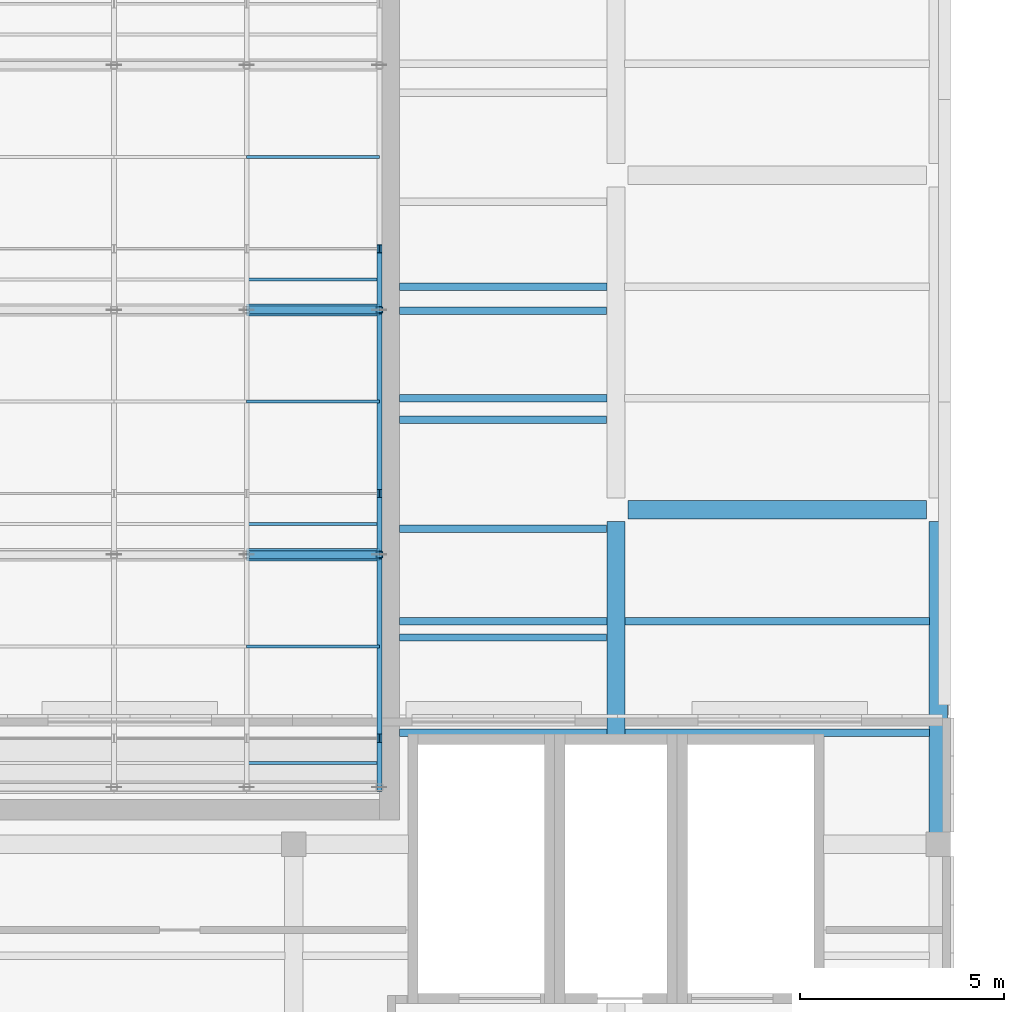
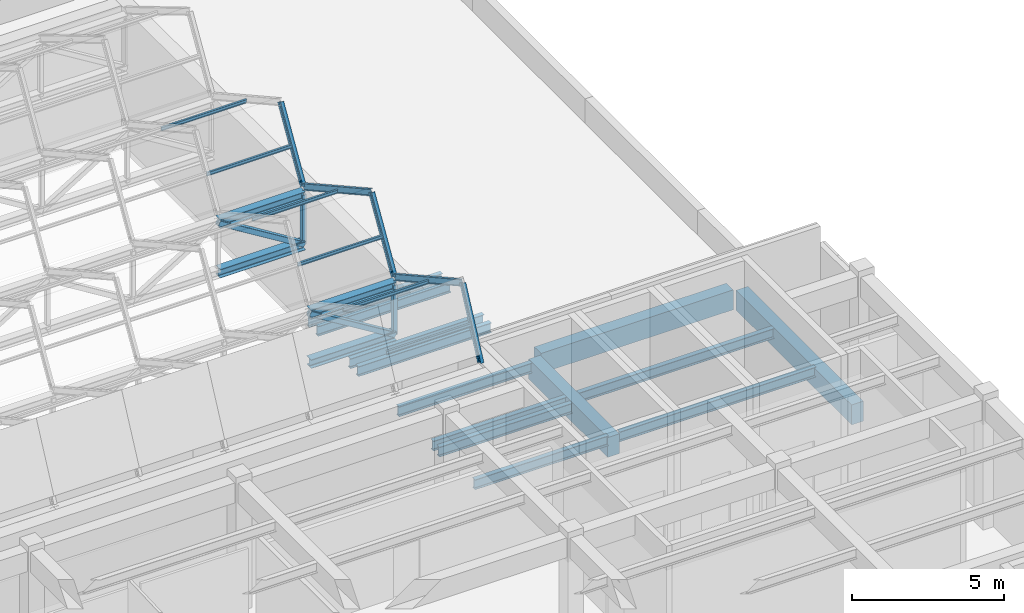
# One storey, part 55 of 132: 19 members, 13 beams.
"""IFC4 building model written with IfcOpenShell, lengths in metres."""

from ifc_helpers import new_model, si_unit, direction, frame, origin, origin_2d, place, context, subcontext, project, spatial, rectangle, hollow_rectangle, i_section, extrude, material, material_profile, profile_set, type_object, element, save


model = new_model("IFC4")

# Units and contexts
model_context = context("Model", 3, precision=1e-05, world=origin(), true_north=direction((0.0, 1.0)))
body_context = subcontext(model_context, "Body", "Model", "MODEL_VIEW")
ifc_project = project(units=[si_unit("LENGTHUNIT", "METRE"), si_unit("AREAUNIT", "SQUARE_METRE"), si_unit("VOLUMEUNIT", "CUBIC_METRE"), si_unit("PLANEANGLEUNIT", "RADIAN"), si_unit("MASSUNIT", "GRAM", prefix="KILO")], contexts=[model_context])

# Site, building, storey
site_placement = place(None, origin())
site = spatial("IfcSite", under=ifc_project, at=site_placement, CompositionType="ELEMENT")
building_placement = place(site_placement, origin())
building = spatial("IfcBuilding", under=site, at=building_placement, Name="Lunette Opera House", CompositionType="ELEMENT")
storey_placement = place(building_placement, frame((0.0, 0.0, 17.0)))
storey = spatial("IfcBuildingStorey", under=building, at=storey_placement, Name="L03", CompositionType="ELEMENT", Elevation=17.0)

# Members
ifc_material_1 = material(Name="Steel S355", Category="steel")
ifc_material_profile_1 = material_profile(ifc_material_1, i_section(OverallWidth=0.300048828125, OverallDepth=0.35009765625, WebThickness=0.010009765625, FlangeThickness=0.017578125, FilletRadius=0.027099609375, at=origin_2d()), Name="HEA 360")
ifc_profile_set_1 = profile_set([ifc_material_profile_1], Name="Steel S355")
member_type_1 = type_object("IfcMemberType", Name="CHORD HEA 360", PredefinedType="CHORD", material=ifc_profile_set_1)
for number, where, z_axis, x_axis, name in (
    (1, (166.75, 110.0, 5.205078125), (1.0, 0.0, 0.0), (0.0, 1.0, 0.0), "mem-WW-L03-WW-TR02-TC8"),
    (2, (166.75, 110.0, 3.205078125), (1.0, 0.0, 0.0), (0.0, 1.0, 0.0), "mem-WW-L03-WW-TR02-BC8"),
    (3, (166.75, 116.0, 5.205078125), (1.0, 0.0, 0.0), (0.0, 1.0, 0.0), "mem-WW-L03-WW-TR03-TC8"),
    (4, (166.75, 116.0, 3.205078125), (1.0, 0.0, 0.0), (0.0, 1.0, 0.0), "mem-WW-L03-WW-TR03-BC8"),
):
    element("IfcMember", number, at=place(storey_placement, frame(where, z_axis=z_axis, x_axis=x_axis)), inside=storey, type_object=member_type_1, Name=name, PredefinedType="CHORD", context=body_context, shape_type="SweptSolid", body=[
        extrude(i_section(OverallWidth=0.300048828125, OverallDepth=0.35009765625, WebThickness=0.010009765625, FlangeThickness=0.017578125, FilletRadius=0.027099609375, at=origin_2d()), origin(), (0.0, 0.0, 1.0), 3.25),
    ])
ifc_material_2 = material(Name="Steel S355", Category="steel")
ifc_material_profile_2 = material_profile(ifc_material_2, hollow_rectangle(XDim=0.199951171875, YDim=0.199951171875, WallThickness=0.008056640625, InnerFilletRadius=0.008056640625, OuterFilletRadius=0.01611328125, at=origin_2d()), Name="RHS 200X200X8")
ifc_profile_set_2 = profile_set([ifc_material_profile_2], Name="Steel S355")
member_type_2 = type_object("IfcMemberType", Name="DIAGONAL RHS 200X200X8", PredefinedType="BRACE", material=ifc_profile_set_2)
for number, where, z_axis, x_axis, name in (
    (5, (166.75, 110.0, 5.205078125), (0.851658316705, 0.0, -0.524097425664), (0.0, 1.0, 0.0), "mem-WW-L03-WW-TR02-TD8"),
    (6, (166.75, 116.0, 5.205078125), (0.851658316705, 0.0, -0.524097425664), (0.0, 1.0, 0.0), "mem-WW-L03-WW-TR03-TD8"),
):
    element("IfcMember", number, at=place(storey_placement, frame(where, z_axis=z_axis, x_axis=x_axis)), inside=storey, type_object=member_type_2, Name=name, PredefinedType="BRACE", context=body_context, shape_type="SweptSolid", body=[
        extrude(hollow_rectangle(XDim=0.199951171875, YDim=0.199951171875, WallThickness=0.008056640625, InnerFilletRadius=0.008056640625, OuterFilletRadius=0.01611328125, at=origin_2d()), origin(), (0.0, 0.0, 1.0), 3.816162109375),
    ])
ifc_material_3 = material(Name="Steel S355", Category="steel")
ifc_material_profile_3 = material_profile(ifc_material_3, i_section(OverallWidth=0.072998046875, OverallDepth=0.139892578125, WebThickness=0.004638671875, FlangeThickness=0.0068359375, FilletRadius=0.007080078125, at=origin_2d()), Name="IPE 140")
ifc_profile_set_3 = profile_set([ifc_material_profile_3], Name="Steel S355")
member_type_3 = type_object("IfcMemberType", Name="PURLIN IPE 140", PredefinedType="PURLIN", material=ifc_profile_set_3)
for number, where, z_axis, x_axis, name in (
    (7, (166.75, 104.89990234375, 6.679931640625), (1.0, 0.0, 0.0), (0.0, 1.0, 0.0), "mem-WW-L03-WW-PN1-8A"),
    (8, (166.75, 107.75, 6.679931640625), (1.0, 0.0, 0.0), (0.0, 1.0, 0.0), "mem-WW-L03-WW-PN1-8B"),
    (9, (166.75, 110.75, 6.679931640625), (1.0, 0.0, 0.0), (0.0, 1.0, 0.0), "mem-WW-L03-WW-PN2-8A"),
    (10, (166.75, 113.75, 6.679931640625), (1.0, 0.0, 0.0), (0.0, 1.0, 0.0), "mem-WW-L03-WW-PN2-8B"),
    (11, (166.75, 116.75, 6.679931640625), (1.0, 0.0, 0.0), (0.0, 1.0, 0.0), "mem-WW-L03-WW-PN3-8A"),
    (12, (166.75, 119.75, 6.679931640625), (1.0, 0.0, 0.0), (0.0, 1.0, 0.0), "mem-WW-L03-WW-PN3-8B"),
):
    element("IfcMember", number, at=place(storey_placement, frame(where, z_axis=z_axis, x_axis=x_axis)), inside=storey, type_object=member_type_3, Name=name, PredefinedType="PURLIN", context=body_context, shape_type="SweptSolid", body=[
        extrude(i_section(OverallWidth=0.072998046875, OverallDepth=0.139892578125, WebThickness=0.004638671875, FlangeThickness=0.0068359375, FilletRadius=0.007080078125, at=origin_2d()), origin(), (0.0, 0.0, 1.0), 3.25),
    ])
ifc_material_4 = material(Name="Steel S355", Category="steel")
ifc_material_profile_4 = material_profile(ifc_material_4, i_section(OverallWidth=0.1201171875, OverallDepth=0.239990234375, WebThickness=0.006103515625, FlangeThickness=0.009765625, FilletRadius=0.014892578125, at=origin_2d()), Name="IPE 240")
ifc_profile_set_4 = profile_set([ifc_material_profile_4], Name="Steel S355")
member_type_4 = type_object("IfcMemberType", Name="RAFTER IPE 240", PredefinedType="RAFTER", material=ifc_profile_set_4)
member_1_placement = place(storey_placement, frame((170.0, 104.300048828125, 5.5), z_axis=(0.0, 0.432716756732, 0.901529926538), x_axis=(-1.0, 0.0, 0.0)))
element("IfcMember", 13, at=member_1_placement, inside=storey, type_object=member_type_4, Name="mem-WW-L03-WW-RF1-9A", PredefinedType="RAFTER", context=body_context, shape_type="SweptSolid", body=[
    extrude(i_section(OverallWidth=0.1201171875, OverallDepth=0.239990234375, WebThickness=0.006103515625, FlangeThickness=0.009765625, FilletRadius=0.014892578125, at=origin_2d()), origin(), (0.0, 0.0, 1.0), 2.77294921875),
])
member_2_placement = place(storey_placement, frame((170.0, 105.5, 8.0), z_axis=(0.0, 0.874157276122, -0.485642931179), x_axis=(-1.0, 0.0, 0.0)))
element("IfcMember", 14, at=member_2_placement, inside=storey, type_object=member_type_4, Name="mem-WW-L03-WW-RF1-9B", PredefinedType="RAFTER", context=body_context, shape_type="SweptSolid", body=[
    extrude(i_section(OverallWidth=0.1201171875, OverallDepth=0.239990234375, WebThickness=0.006103515625, FlangeThickness=0.009765625, FilletRadius=0.014892578125, at=origin_2d()), origin(), (0.0, 0.0, 1.0), 5.147705078125),
])
member_3_placement = place(storey_placement, frame((170.0, 110.0, 5.5), z_axis=(0.0, 0.514495755428, 0.857492925713), x_axis=(-1.0, 0.0, 0.0)))
element("IfcMember", 15, at=member_3_placement, inside=storey, type_object=member_type_4, Name="mem-WW-L03-WW-RF2-9A", PredefinedType="RAFTER", context=body_context, shape_type="SweptSolid", body=[
    extrude(i_section(OverallWidth=0.1201171875, OverallDepth=0.239990234375, WebThickness=0.006103515625, FlangeThickness=0.009765625, FilletRadius=0.014892578125, at=origin_2d()), origin(), (0.0, 0.0, 1.0), 2.91552734375),
])
member_4_placement = place(storey_placement, frame((170.0, 111.5, 8.0), z_axis=(0.0, 0.874157276122, -0.485642931179), x_axis=(-1.0, 0.0, 0.0)))
element("IfcMember", 16, at=member_4_placement, inside=storey, type_object=member_type_4, Name="mem-WW-L03-WW-RF2-9B", PredefinedType="RAFTER", context=body_context, shape_type="SweptSolid", body=[
    extrude(i_section(OverallWidth=0.1201171875, OverallDepth=0.239990234375, WebThickness=0.006103515625, FlangeThickness=0.009765625, FilletRadius=0.014892578125, at=origin_2d()), origin(), (0.0, 0.0, 1.0), 5.147705078125),
])
member_5_placement = place(storey_placement, frame((170.0, 116.0, 5.5), z_axis=(0.0, 0.514495755428, 0.857492925713), x_axis=(-1.0, 0.0, 0.0)))
element("IfcMember", 17, at=member_5_placement, inside=storey, type_object=member_type_4, Name="mem-WW-L03-WW-RF3-9A", PredefinedType="RAFTER", context=body_context, shape_type="SweptSolid", body=[
    extrude(i_section(OverallWidth=0.1201171875, OverallDepth=0.239990234375, WebThickness=0.006103515625, FlangeThickness=0.009765625, FilletRadius=0.014892578125, at=origin_2d()), origin(), (0.0, 0.0, 1.0), 2.91552734375),
])

# Beams
ifc_material_5 = material(Name="Concrete C35/45", Category="concrete")
ifc_material_profile_5 = material_profile(ifc_material_5, rectangle(XDim=0.449951171875, YDim=0.800048828125, at=origin_2d()), Name="RC BEAM 450X800")
ifc_profile_set_5 = profile_set([ifc_material_profile_5], Name="Concrete C35/45")
beam_type_1 = type_object("IfcBeamType", Name="RC BEAM 450X800", PredefinedType="BEAM", material=ifc_profile_set_5)
beam_1_placement = place(storey_placement, frame((175.800048828125, 105.590087890625, -0.64990234375), z_axis=(0.0, 1.0, 0.0), x_axis=(-1.0, 0.0, 0.0)))
element("IfcBeam", 18, at=beam_1_placement, inside=storey, type_object=beam_type_1, Name="beam-WW-L03-L03-GY53", PredefinedType="BEAM", context=body_context, shape_type="SweptSolid", body=[
    extrude(rectangle(XDim=0.449951171875, YDim=0.800048828125, at=origin_2d()), origin(), (0.0, 0.0, 1.0), 5.219970703125),
])
beam_2_placement = place(storey_placement, frame((183.699951171875, 103.18994140625, -0.64990234375), z_axis=(0.0, 1.0, 0.0), x_axis=(-1.0, 0.0, 0.0)))
element("IfcBeam", 19, at=beam_2_placement, inside=storey, type_object=beam_type_1, Name="beam-WW-L03-L03-GY63", PredefinedType="BEAM", context=body_context, shape_type="SweptSolid", body=[
    extrude(rectangle(XDim=0.449951171875, YDim=0.800048828125, at=origin_2d()), origin(), (0.0, 0.0, 1.0), 7.6201171875),
])
beam_3_placement = place(storey_placement, frame((176.090087890625, 111.10009765625, -0.64990234375), z_axis=(1.0, 0.0, 0.0), x_axis=(0.0, 1.0, 0.0)))
element("IfcBeam", 20, at=beam_3_placement, inside=storey, type_object=beam_type_1, Name="beam-WW-L03-L03-GX54", PredefinedType="BEAM", context=body_context, shape_type="SweptSolid", body=[
    extrude(rectangle(XDim=0.449951171875, YDim=0.800048828125, at=origin_2d()), origin(), (0.0, 0.0, 1.0), 7.31982421875),
])
ifc_material_6 = material(Name="Steel S355", Category="steel")
ifc_material_profile_6 = material_profile(ifc_material_6, i_section(OverallWidth=0.179931640625, OverallDepth=0.39990234375, WebThickness=0.008544921875, FlangeThickness=0.013427734375, FilletRadius=0.02099609375, at=origin_2d()), Name="IPE 400")
ifc_profile_set_6 = profile_set([ifc_material_profile_6], Name="Steel S355")
beam_type_2 = type_object("IfcBeamType", Name="STEEL BEAM IPE 400", PredefinedType="BEAM", material=ifc_profile_set_6)
for number, where, z_axis, x_axis, name in (
    (21, (170.5, 105.633056640625, -0.35009765625), (1.0, 0.0, 0.0), (0.0, 1.0, 0.0), "beam-WW-L03-L03-SX431-01"),
    (22, (170.5, 108.366943359375, -0.449951171875), (1.0, 0.0, 0.0), (0.0, 1.0, 0.0), "beam-WW-L03-L03-SX432-01"),
    (23, (170.5, 113.8330078125, -0.449951171875), (1.0, 0.0, 0.0), (0.0, 1.0, 0.0), "beam-WW-L03-L03-SX441-01"),
    (24, (170.5, 116.56689453125, -0.449951171875), (1.0, 0.0, 0.0), (0.0, 1.0, 0.0), "beam-WW-L03-L03-SX442-01"),
):
    element("IfcBeam", number, at=place(storey_placement, frame(where, z_axis=z_axis, x_axis=x_axis)), inside=storey, type_object=beam_type_2, Name=name, PredefinedType="BEAM", context=body_context, shape_type="SweptSolid", body=[
        extrude(i_section(OverallWidth=0.179931640625, OverallDepth=0.39990234375, WebThickness=0.008544921875, FlangeThickness=0.013427734375, FilletRadius=0.02099609375, at=origin_2d()), origin(), (0.0, 0.0, 1.0), 5.0849609375),
    ])
for number, where, z_axis, x_axis, name in (
    (25, (176.014892578125, 105.633056640625, -0.35009765625), (1.0, 0.0, 0.0), (0.0, 1.0, 0.0), "beam-WW-L03-L03-SX531"),
    (26, (176.014892578125, 108.366943359375, -0.449951171875), (1.0, 0.0, 0.0), (0.0, 1.0, 0.0), "beam-WW-L03-L03-SX532"),
):
    element("IfcBeam", number, at=place(storey_placement, frame(where, z_axis=z_axis, x_axis=x_axis)), inside=storey, type_object=beam_type_2, Name=name, PredefinedType="BEAM", context=body_context, shape_type="SweptSolid", body=[
        extrude(i_section(OverallWidth=0.179931640625, OverallDepth=0.39990234375, WebThickness=0.008544921875, FlangeThickness=0.013427734375, FilletRadius=0.02099609375, at=origin_2d()), origin(), (0.0, 0.0, 1.0), 7.47021484375),
    ])
for number, where, z_axis, x_axis, name in (
    (27, (170.5, 107.969970703125, -0.449951171875), (1.0, 0.0, 0.0), (0.0, 1.0, 0.0), "beam-WW-L03-L03-RJE1441041"),
    (28, (170.5, 110.639892578125, -0.449951171875), (1.0, 0.0, 0.0), (0.0, 1.0, 0.0), "beam-WW-L03-L03-RJE1441042"),
    (29, (170.5, 113.31005859375, -0.449951171875), (1.0, 0.0, 0.0), (0.0, 1.0, 0.0), "beam-WW-L03-L03-RJE1441043"),
    (30, (170.5, 115.97998046875, -0.449951171875), (1.0, 0.0, 0.0), (0.0, 1.0, 0.0), "beam-WW-L03-L03-RJE1441044"),
):
    element("IfcBeam", number, at=place(storey_placement, frame(where, z_axis=z_axis, x_axis=x_axis)), inside=storey, type_object=beam_type_2, Name=name, PredefinedType="BEAM", context=body_context, shape_type="SweptSolid", body=[
        extrude(i_section(OverallWidth=0.179931640625, OverallDepth=0.39990234375, WebThickness=0.008544921875, FlangeThickness=0.013427734375, FilletRadius=0.02099609375, at=origin_2d()), origin(), (0.0, 0.0, 1.0), 5.06494140625),
    ])

# Members
ifc_material_7 = material(Name="Steel S355", Category="steel")
ifc_material_profile_7 = material_profile(ifc_material_7, hollow_rectangle(XDim=0.159912109375, YDim=0.159912109375, WallThickness=0.008056640625, InnerFilletRadius=0.008056640625, OuterFilletRadius=0.01611328125, at=origin_2d()), Name="RHS 160X160X8")
ifc_profile_set_7 = profile_set([ifc_material_profile_7], Name="Steel S355")
member_type_5 = type_object("IfcMemberType", Name="VERTICAL RHS 160X160X8", PredefinedType="POST", material=ifc_profile_set_7)
for number, where, z_axis, x_axis, name in (
    (31, (170.0, 110.0, 3.205078125), (0.0, 0.0, 1.0), (1.0, 0.0, 0.0), "mem-WW-L03-WW-TR02-TV9"),
    (32, (170.0, 116.0, 3.205078125), (0.0, 0.0, 1.0), (1.0, 0.0, 0.0), "mem-WW-L03-WW-TR03-TV9"),
):
    element("IfcMember", number, at=place(storey_placement, frame(where, z_axis=z_axis, x_axis=x_axis)), inside=storey, type_object=member_type_5, Name=name, PredefinedType="POST", context=body_context, shape_type="SweptSolid", body=[
        extrude(hollow_rectangle(XDim=0.159912109375, YDim=0.159912109375, WallThickness=0.008056640625, InnerFilletRadius=0.008056640625, OuterFilletRadius=0.01611328125, at=origin_2d()), origin(), (0.0, 0.0, 1.0), 2.0),
    ])

save(model, "model.ifc")
